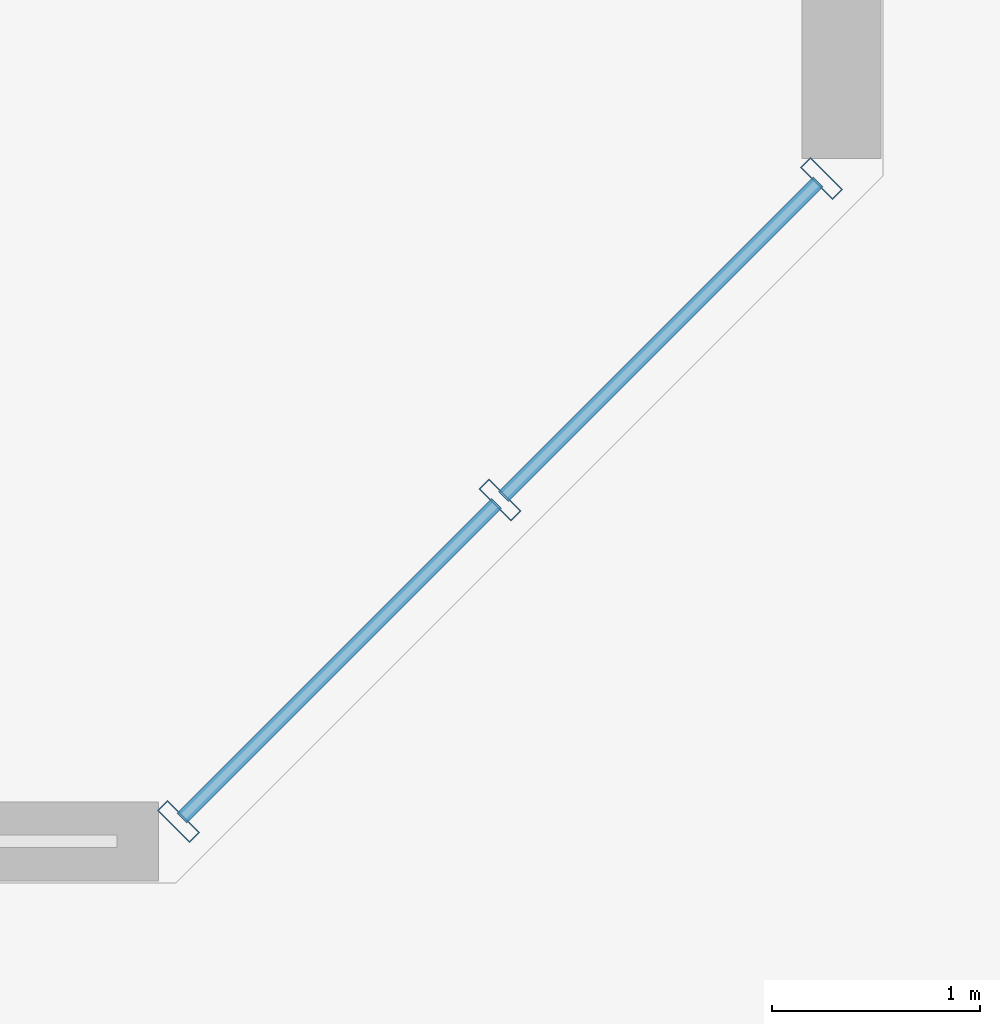
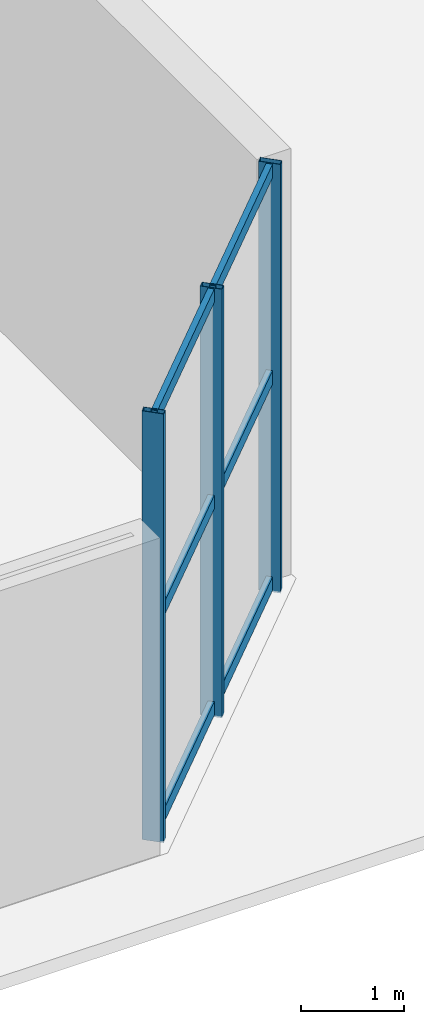
# One storey, part 6 of 22: 9 members, 1 element without a shape of its own.
"""IFC4 building model written with IfcOpenShell, lengths in metres."""

from ifc_helpers import new_model, si_unit, direction, frame, origin, origin_2d, place, context, subcontext, project, spatial, hollow_rectangle, extrude, source, transform, mapped, material, material_profile, profile_set, type_object, element, aggregate, save


model = new_model("IFC4")

# Units and contexts
model_context = context("Model", 3, precision=1e-05, world=origin(), true_north=direction((0.0, 1.0)))
body_context = subcontext(model_context, "Body", "Model", "MODEL_VIEW")
ifc_project = project(units=[si_unit("LENGTHUNIT", "METRE"), si_unit("AREAUNIT", "SQUARE_METRE"), si_unit("VOLUMEUNIT", "CUBIC_METRE"), si_unit("PLANEANGLEUNIT", "RADIAN"), si_unit("MASSUNIT", "GRAM", prefix="KILO")], contexts=[model_context])

# Site, building, storey
site_placement = place(None, origin())
site = spatial("IfcSite", under=ifc_project, at=site_placement, CompositionType="ELEMENT")
building_placement = place(site_placement, origin())
building = spatial("IfcBuilding", under=site, at=building_placement, Name="Tlacorven Tower", CompositionType="ELEMENT")
storey_placement = place(building_placement, origin())
storey = spatial("IfcBuildingStorey", under=building, at=storey_placement, Name="L00", CompositionType="ELEMENT", Elevation=0.0)

# Curtain wall, members
ifc_material_1 = material(Name="Dark solar low-E double glazing in aluminium frame", Category="aluminium")
curtain_wall_type = type_object("IfcCurtainWallType", Name="CW-STN-CONCOURSE", PredefinedType="USERDEFINED", material=ifc_material_1)
curtain_wall_placement = place(storey_placement, origin())
curtain_wall = element("IfcCurtainWall", 1, at=curtain_wall_placement, inside=storey, type_object=curtain_wall_type, Name="L00 Podium Chamfer Curtain Wall 7", ObjectType="UNITISED CURTAIN WALL", PredefinedType="USERDEFINED")
ifc_material_2 = material(Name="Aluminium 6063-T6 anodised", Category="aluminium")
ifc_material_profile_1 = material_profile(ifc_material_2, hollow_rectangle(XDim=0.070068359375, YDim=0.219970703125, WallThickness=0.0048828125, at=origin_2d()), Name="ALU MULLION 70X220")
ifc_profile_set_1 = profile_set([ifc_material_profile_1], Name="Aluminium 6063-T6 anodised")
member_type_1 = type_object("IfcMemberType", Name="CWM-01", PredefinedType="MULLION", material=ifc_profile_set_1)
shared_shape_1 = source(origin(), body_context, "Body", "SweptSolid", [
    extrude(hollow_rectangle(XDim=0.070068359375, YDim=0.219970703125, WallThickness=0.0048828125, at=origin_2d()), origin(), (0.0, 0.0, 1.0), 5.080078125),
])
member_1_placement = place(storey_placement, frame((70.304443359375, 4.787353515625, -0.02001953125), z_axis=(0.0, 0.0, 1.0), x_axis=(-0.707106781187, -0.707106781187, 0.0)))
member_1 = element("IfcMember", 2, at=member_1_placement, type_object=member_type_1, Name="CW-L00-004 Mullion 1", PredefinedType="MULLION", context=body_context, shape_type="MappedRepresentation", body=[
    mapped(shared_shape_1, transform((0.0, 0.0, 0.0), scale=1.0)),
])
member_2_placement = place(storey_placement, frame((68.758544921875, 3.241455078125, -0.02001953125), z_axis=(0.0, 0.0, 1.0), x_axis=(-0.707106781187, -0.707106781187, 0.0)))
member_2 = element("IfcMember", 3, at=member_2_placement, type_object=member_type_1, Name="CW-L00-004 Mullion 2", PredefinedType="MULLION", context=body_context, shape_type="MappedRepresentation", body=[
    mapped(shared_shape_1, transform((0.0, 0.0, 0.0), scale=1.0)),
])
member_3_placement = place(storey_placement, frame((67.212646484375, 1.695556640625, -0.02001953125), z_axis=(0.0, 0.0, 1.0), x_axis=(-0.707106781187, -0.707106781187, 0.0)))
member_3 = element("IfcMember", 4, at=member_3_placement, type_object=member_type_1, Name="CW-L00-004 Mullion 3", PredefinedType="MULLION", context=body_context, shape_type="MappedRepresentation", body=[
    mapped(shared_shape_1, transform((0.0, 0.0, 0.0), scale=1.0)),
])
ifc_material_profile_2 = material_profile(ifc_material_2, hollow_rectangle(XDim=0.06494140625, YDim=0.159912109375, WallThickness=0.00390625, at=origin_2d()), Name="ALU TRANSOM 65X160")
ifc_profile_set_2 = profile_set([ifc_material_profile_2], Name="Aluminium 6063-T6 anodised")
member_type_2 = type_object("IfcMemberType", Name="CWT-01", PredefinedType="USERDEFINED", material=ifc_profile_set_2)
shared_shape_2 = source(origin(), body_context, "Body", "SweptSolid", [
    extrude(hollow_rectangle(XDim=0.06494140625, YDim=0.159912109375, WallThickness=0.00390625, at=origin_2d()), origin(), (0.0, 0.0, 1.0), 2.140380859375),
])
member_4_placement = place(storey_placement, frame((70.288330078125, 4.771240234375, 0.080078125), z_axis=(-0.707049749547, -0.707163808226, 0.0), x_axis=(0.707163808226, -0.707049749547, 0.0)))
member_4 = element("IfcMember", 5, at=member_4_placement, type_object=member_type_2, Name="CW-L00-004 Transom 1", ObjectType="TRANSOM", PredefinedType="USERDEFINED", context=body_context, shape_type="MappedRepresentation", body=[
    mapped(shared_shape_2, transform((0.0, 0.0, 0.0), scale=1.0)),
])
member_5_placement = place(storey_placement, frame((70.288330078125, 4.771240234375, 2.52490234375), z_axis=(-0.707049749547, -0.707163808226, 0.0), x_axis=(0.707163808226, -0.707049749547, 0.0)))
member_5 = element("IfcMember", 6, at=member_5_placement, type_object=member_type_2, Name="CW-L00-004 Transom 2", ObjectType="TRANSOM", PredefinedType="USERDEFINED", context=body_context, shape_type="MappedRepresentation", body=[
    mapped(shared_shape_2, transform((0.0, 0.0, 0.0), scale=1.0)),
])
member_6_placement = place(storey_placement, frame((70.288330078125, 4.771240234375, 4.969970703125), z_axis=(-0.707049749547, -0.707163808226, 0.0), x_axis=(0.707163808226, -0.707049749547, 0.0)))
member_6 = element("IfcMember", 7, at=member_6_placement, type_object=member_type_2, Name="CW-L00-004 Transom 3", ObjectType="TRANSOM", PredefinedType="USERDEFINED", context=body_context, shape_type="MappedRepresentation", body=[
    mapped(shared_shape_2, transform((0.0, 0.0, 0.0), scale=1.0)),
])
member_7_placement = place(storey_placement, frame((68.742431640625, 3.22509765625, 0.080078125), z_axis=(-0.707163808226, -0.707049749547, 0.0), x_axis=(0.707049749547, -0.707163808226, 0.0)))
member_7 = element("IfcMember", 8, at=member_7_placement, type_object=member_type_2, Name="CW-L00-004 Transom 4", ObjectType="TRANSOM", PredefinedType="USERDEFINED", context=body_context, shape_type="MappedRepresentation", body=[
    mapped(shared_shape_2, transform((0.0, 0.0, 0.0), scale=1.0)),
])
member_8_placement = place(storey_placement, frame((68.742431640625, 3.22509765625, 2.52490234375), z_axis=(-0.707163808226, -0.707049749547, 0.0), x_axis=(0.707049749547, -0.707163808226, 0.0)))
member_8 = element("IfcMember", 9, at=member_8_placement, type_object=member_type_2, Name="CW-L00-004 Transom 5", ObjectType="TRANSOM", PredefinedType="USERDEFINED", context=body_context, shape_type="MappedRepresentation", body=[
    mapped(shared_shape_2, transform((0.0, 0.0, 0.0), scale=1.0)),
])
member_9_placement = place(storey_placement, frame((68.742431640625, 3.22509765625, 4.969970703125), z_axis=(-0.707163808226, -0.707049749547, 0.0), x_axis=(0.707049749547, -0.707163808226, 0.0)))
member_9 = element("IfcMember", 10, at=member_9_placement, type_object=member_type_2, Name="CW-L00-004 Transom 6", ObjectType="TRANSOM", PredefinedType="USERDEFINED", context=body_context, shape_type="MappedRepresentation", body=[
    mapped(shared_shape_2, transform((0.0, 0.0, 0.0), scale=1.0)),
])
aggregate(curtain_wall, [member_1, member_2, member_3, member_4, member_5, member_6, member_7, member_8, member_9])

save(model, "model.ifc")
